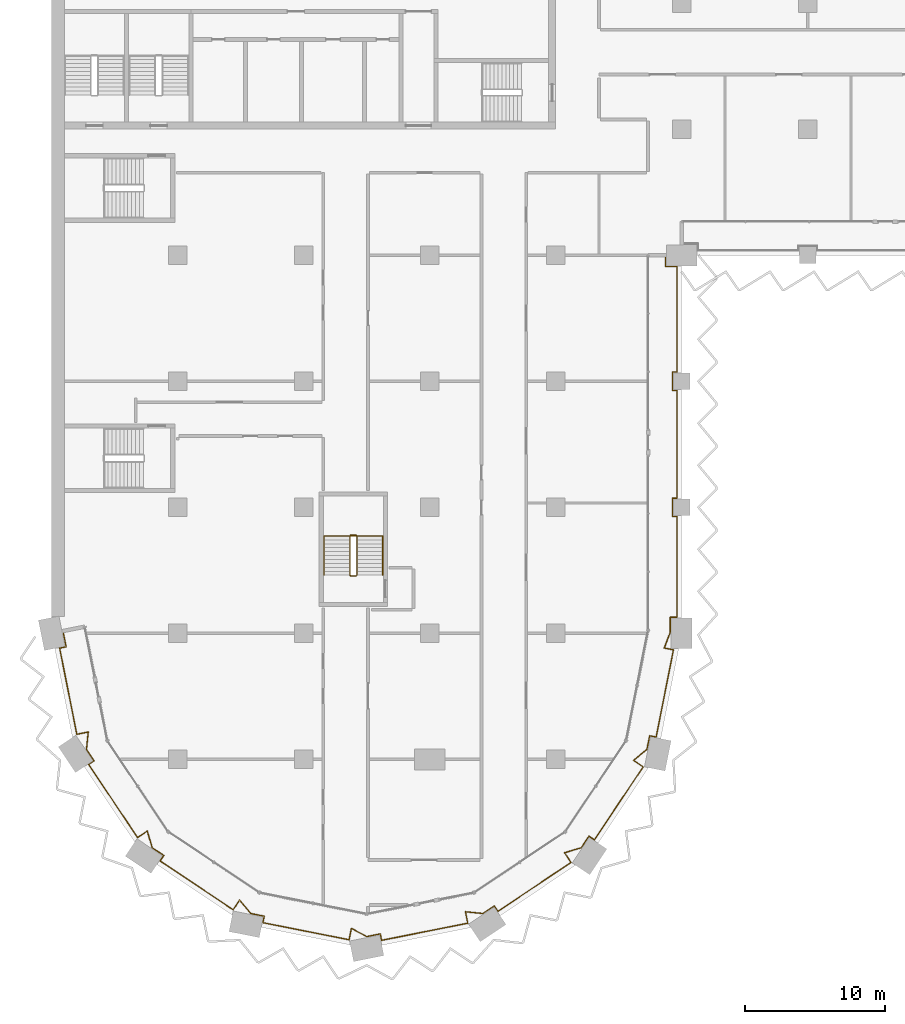
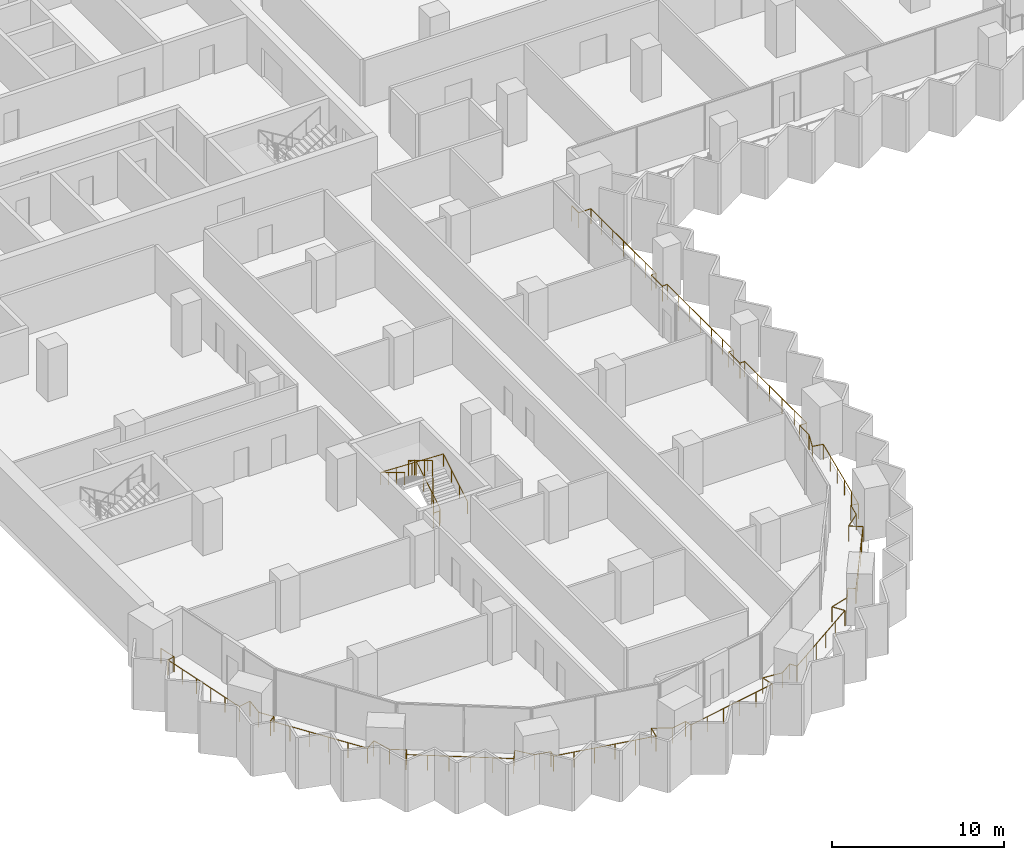
# One storey, part 19 of 22: 3 railings.
"""IFC4 building model written with IfcOpenShell, lengths in metres."""

from ifc_helpers import new_model, si_unit, direction, frame, origin, origin_2d, place, context, subcontext, project, spatial, circle, extrude, material, type_object, element, save


model = new_model("IFC4")

# Units and contexts
model_context = context("Model", 3, precision=1e-05, world=origin(), true_north=direction((0.0, 1.0)))
body_context = subcontext(model_context, "Body", "Model", "MODEL_VIEW")
ifc_project = project(units=[si_unit("LENGTHUNIT", "METRE"), si_unit("AREAUNIT", "SQUARE_METRE"), si_unit("VOLUMEUNIT", "CUBIC_METRE"), si_unit("PLANEANGLEUNIT", "RADIAN"), si_unit("MASSUNIT", "GRAM", prefix="KILO")], contexts=[model_context])

# Site, building, storey
site_placement = place(None, origin())
site = spatial("IfcSite", under=ifc_project, at=site_placement, CompositionType="ELEMENT")
building_placement = place(site_placement, origin())
building = spatial("IfcBuilding", under=site, at=building_placement, Name="Hunhe Ridgeline Campus", CompositionType="ELEMENT")
storey_placement = place(building_placement, frame((0.0, 0.0, 84.800048828125)))
storey = spatial("IfcBuildingStorey", under=building, at=storey_placement, Name="L20", CompositionType="ELEMENT", Elevation=84.800048828125)

# Railings
ifc_material_1 = material(Name="Steel Q355", Category="steel")
railing_type_1 = type_object("IfcRailingType", Name="Loggia guard 1100 Steel Q355", PredefinedType="GUARDRAIL", material=ifc_material_1)
railing_1_placement = place(storey_placement, frame((0.80419921875, 27.159912109375, 0.0)))
element("IfcRailing", 1, at=railing_1_placement, inside=storey, type_object=railing_type_1, Name="Loggia guard 1", PredefinedType="GUARDRAIL", context=body_context, shape_type="SweptSolid", body=[
    extrude(circle(Radius=0.02392578125, at=origin_2d()), frame((0.0, 0.0, 1.076171875), z_axis=(0.195095399255, -0.980784270464, 0.0), x_axis=(0.980784270464, 0.195095399255, 0.0)), (0.0, 0.0, 1.0), 1.150146484375),
    extrude(circle(Radius=0.02392578125, at=origin_2d()), frame((0.224365234375, -1.1279296875, 1.076171875), z_axis=(-0.980839571814, -0.194817181902, 0.0), x_axis=(0.194817181902, -0.980839571814, 0.0)), (0.0, 0.0, 1.0), 0.469970703125),
    extrude(circle(Radius=0.02392578125, at=origin_2d()), frame((-0.236572265625, -1.219482421875, 1.076171875), z_axis=(0.195091122585, -0.98078512116, 0.0), x_axis=(0.98078512116, 0.195091122585, 0.0)), (0.0, 0.0, 1.0), 6.27587890625),
    extrude(circle(Radius=0.02392578125, at=origin_2d()), frame((0.98779296875, -7.374755859375, 1.076171875), z_axis=(0.980805242724, 0.194989937807, 0.0), x_axis=(-0.194989937807, 0.980805242724, 0.0)), (0.0, 0.0, 1.0), 0.833984375),
    extrude(circle(Radius=0.02392578125, at=origin_2d()), frame((1.8056640625, -7.212158203125, 1.076171875), z_axis=(-0.10024174874, -0.994963110778, 0.0), x_axis=(0.994963110778, -0.10024174874, 0.0)), (0.0, 0.0, 1.0), 1.24462890625),
    extrude(circle(Radius=0.02392578125, at=origin_2d()), frame((1.680908203125, -8.450439453125, 1.076171875), z_axis=(0.555613261421, -0.831440860034, 0.0), x_axis=(0.831440860034, 0.555613261421, 0.0)), (0.0, 0.0, 1.0), 0.98681640625),
    extrude(circle(Radius=0.02392578125, at=origin_2d()), frame((2.229248046875, -9.27099609375, 1.076171875), z_axis=(-0.831650496226, -0.55529942565, 0.0), x_axis=(0.55529942565, -0.831650496226, 0.0)), (0.0, 0.0, 1.0), 0.469970703125),
    extrude(circle(Radius=0.02392578125, at=origin_2d()), frame((1.83837890625, -9.531982421875, 1.076171875), z_axis=(0.55555274607, -0.831481296443, 0.0), x_axis=(0.831481296443, 0.55555274607, 0.0)), (0.0, 0.0, 1.0), 6.27587890625),
    extrude(circle(Radius=0.02392578125, at=origin_2d()), frame((5.324951171875, -14.750244140625, 1.076171875), z_axis=(0.831419211319, 0.555645656016, 0.0), x_axis=(-0.555645656016, 0.831419211319, 0.0)), (0.0, 0.0, 1.0), 0.833984375),
    extrude(circle(Radius=0.02392578125, at=origin_2d()), frame((6.018310546875, -14.286865234375, 1.076171875), z_axis=(0.288373576958, -0.957517979002, 0.0), x_axis=(0.957517979002, 0.288373576958, 0.0)), (0.0, 0.0, 1.0), 1.24462890625),
    extrude(circle(Radius=0.02392578125, at=origin_2d()), frame((6.377197265625, -15.478515625, 1.076171875), z_axis=(0.831440860034, -0.555613261421, 0.0), x_axis=(0.555613261421, 0.831440860034, 0.0)), (0.0, 0.0, 1.0), 0.98681640625),
    extrude(circle(Radius=0.02392578125, at=origin_2d()), frame((7.19775390625, -16.02685546875, 1.076171875), z_axis=(-0.555658548717, -0.831410594856, 0.0), x_axis=(0.831410594856, -0.555658548717, 0.0)), (0.0, 0.0, 1.0), 0.47021484375),
    extrude(circle(Radius=0.02392578125, at=origin_2d()), frame((6.9365234375, -16.417724609375, 1.076171875), z_axis=(0.831469289337, -0.555570716372, 0.0), x_axis=(0.555570716372, 0.831469289337, 0.0)), (0.0, 0.0, 1.0), 6.275634765625),
    extrude(circle(Radius=0.02392578125, at=origin_2d()), frame((12.154541015625, -19.904296875, 1.076171875), z_axis=(0.555645656016, 0.831419211319, 0.0), x_axis=(-0.831419211319, 0.555645656016, 0.0)), (0.0, 0.0, 1.0), 0.833984375),
    extrude(circle(Radius=0.02392578125, at=origin_2d()), frame((12.617919921875, -19.2109375, 1.076171875), z_axis=(0.632628709191, -0.774455238414, 0.0), x_axis=(0.774455238414, 0.632628709191, 0.0)), (0.0, 0.0, 1.0), 1.24462890625),
    extrude(circle(Radius=0.02392578125, at=origin_2d()), frame((13.4052734375, -20.1748046875, 1.076171875), z_axis=(0.980770488785, -0.195164669773, 0.0), x_axis=(0.195164669773, 0.980770488785, 0.0)), (0.0, 0.0, 1.0), 0.987060546875),
    extrude(circle(Radius=0.02392578125, at=origin_2d()), frame((14.373291015625, -20.367431640625, 1.076171875), z_axis=(-0.195316901017, -0.980740183829, 0.0), x_axis=(0.980740183829, -0.195316901017, 0.0)), (0.0, 0.0, 1.0), 0.469970703125),
    extrude(circle(Radius=0.02392578125, at=origin_2d()), frame((14.281494140625, -20.828369140625, 1.076171875), z_axis=(0.98078512116, -0.195091122585, 0.0), x_axis=(0.195091122585, 0.98078512116, 0.0)), (0.0, 0.0, 1.0), 6.27587890625),
    extrude(circle(Radius=0.02392578125, at=origin_2d()), frame((20.436767578125, -22.052734375, 1.076171875), z_axis=(0.194989937807, 0.980805242724, 0.0), x_axis=(-0.980805242724, 0.194989937807, 0.0)), (0.0, 0.0, 1.0), 0.833984375),
    extrude(circle(Radius=0.02392578125, at=origin_2d()), frame((20.599365234375, -21.23486328125, 1.076171875), z_axis=(0.880980801229, -0.473152013486, 0.0), x_axis=(0.473152013486, 0.880980801229, 0.0)), (0.0, 0.0, 1.0), 1.24462890625),
    extrude(circle(Radius=0.02392578125, at=origin_2d()), frame((21.69580078125, -21.82373046875, 1.076171875), z_axis=(0.98081780924, 0.194926717196, 0.0), x_axis=(-0.194926717196, 0.98081780924, 0.0)), (0.0, 0.0, 1.0), 0.987060546875),
    extrude(circle(Radius=0.02392578125, at=origin_2d()), frame((22.663818359375, -21.63134765625, 1.076171875), z_axis=(0.194817181902, -0.980839571814, 0.0), x_axis=(0.980839571814, 0.194817181902, 0.0)), (0.0, 0.0, 1.0), 0.469970703125),
    extrude(circle(Radius=0.02392578125, at=origin_2d()), frame((22.75537109375, -22.09228515625, 1.076171875), z_axis=(0.98078512116, 0.195091122585, 0.0), x_axis=(-0.195091122585, 0.98078512116, 0.0)), (0.0, 0.0, 1.0), 6.27587890625),
    extrude(circle(Radius=0.02392578125, at=origin_2d()), frame((28.91064453125, -20.867919921875, 1.076171875), z_axis=(-0.194989937807, 0.980805242724, 0.0), x_axis=(-0.980805242724, -0.194989937807, 0.0)), (0.0, 0.0, 1.0), 0.833984375),
    extrude(circle(Radius=0.02392578125, at=origin_2d()), frame((28.748046875, -20.050048828125, 1.076171875), z_axis=(0.994963110778, -0.10024174874, 0.0), x_axis=(0.10024174874, 0.994963110778, 0.0)), (0.0, 0.0, 1.0), 1.24462890625),
    extrude(circle(Radius=0.02392578125, at=origin_2d()), frame((29.986328125, -20.1748046875, 1.076171875), z_axis=(0.831440860034, 0.555613261421, 0.0), x_axis=(-0.555613261421, 0.831440860034, 0.0)), (0.0, 0.0, 1.0), 0.98681640625),
    extrude(circle(Radius=0.02392578125, at=origin_2d()), frame((30.806884765625, -19.62646484375, 1.076171875), z_axis=(0.55529942565, -0.831650496226, 0.0), x_axis=(0.831650496226, 0.55529942565, 0.0)), (0.0, 0.0, 1.0), 0.469970703125),
    extrude(circle(Radius=0.02392578125, at=origin_2d()), frame((31.06787109375, -20.017333984375, 1.076171875), z_axis=(0.831481296443, 0.55555274607, 0.0), x_axis=(-0.55555274607, 0.831481296443, 0.0)), (0.0, 0.0, 1.0), 6.27587890625),
    extrude(circle(Radius=0.02392578125, at=origin_2d()), frame((36.2861328125, -16.53076171875, 1.076171875), z_axis=(-0.555645656016, 0.831419211319, 0.0), x_axis=(-0.831419211319, -0.555645656016, 0.0)), (0.0, 0.0, 1.0), 0.833984375),
    extrude(circle(Radius=0.02392578125, at=origin_2d()), frame((35.82275390625, -15.83740234375, 1.076171875), z_axis=(0.957517979002, 0.288373576958, 0.0), x_axis=(-0.288373576958, 0.957517979002, 0.0)), (0.0, 0.0, 1.0), 1.24462890625),
    extrude(circle(Radius=0.02392578125, at=origin_2d()), frame((37.014404296875, -15.478515625, 1.076171875), z_axis=(0.555613261421, 0.831440860034, 0.0), x_axis=(-0.831440860034, 0.555613261421, 0.0)), (0.0, 0.0, 1.0), 0.98681640625),
    extrude(circle(Radius=0.02392578125, at=origin_2d()), frame((37.562744140625, -14.657958984375, 1.076171875), z_axis=(0.831410594856, -0.555658548717, 0.0), x_axis=(0.555658548717, 0.831410594856, 0.0)), (0.0, 0.0, 1.0), 0.47021484375),
    extrude(circle(Radius=0.02392578125, at=origin_2d()), frame((37.95361328125, -14.919189453125, 1.076171875), z_axis=(0.555570716372, 0.831469289337, 0.0), x_axis=(-0.831469289337, 0.555570716372, 0.0)), (0.0, 0.0, 1.0), 6.275634765625),
    extrude(circle(Radius=0.02392578125, at=origin_2d()), frame((41.440185546875, -9.701171875, 1.076171875), z_axis=(-0.831419211319, 0.555645656016, 0.0), x_axis=(-0.555645656016, -0.831419211319, 0.0)), (0.0, 0.0, 1.0), 0.833984375),
    extrude(circle(Radius=0.02392578125, at=origin_2d()), frame((40.746826171875, -9.23779296875, 1.076171875), z_axis=(0.774455238414, 0.632628709191, 0.0), x_axis=(-0.632628709191, 0.774455238414, 0.0)), (0.0, 0.0, 1.0), 1.24462890625),
    extrude(circle(Radius=0.02392578125, at=origin_2d()), frame((41.710693359375, -8.450439453125, 1.076171875), z_axis=(0.195164669773, 0.980770488785, 0.0), x_axis=(-0.980770488785, 0.195164669773, 0.0)), (0.0, 0.0, 1.0), 0.987060546875),
    extrude(circle(Radius=0.02392578125, at=origin_2d()), frame((41.9033203125, -7.482421875, 1.076171875), z_axis=(0.980740183829, -0.195316901017, 0.0), x_axis=(0.195316901017, 0.980740183829, 0.0)), (0.0, 0.0, 1.0), 0.469970703125),
    extrude(circle(Radius=0.02392578125, at=origin_2d()), frame((42.3642578125, -7.57421875, 1.076171875), z_axis=(0.195074166836, 0.98078849373, 0.0), x_axis=(-0.98078849373, 0.195074166836, 0.0)), (0.0, 0.0, 1.0), 6.35400390625),
    extrude(circle(Radius=0.02392578125, at=origin_2d()), frame((43.603759765625, -1.34228515625, 1.076171875), z_axis=(-0.980818178173, 0.194924860818, 0.0), x_axis=(-0.194924860818, -0.980818178173, 0.0)), (0.0, 0.0, 1.0), 0.670166015625),
    extrude(circle(Radius=0.02392578125, at=origin_2d()), frame((42.946533203125, -1.211669921875, 1.076171875), z_axis=(0.354368618256, 0.935105813475, 0.0), x_axis=(-0.935105813475, 0.354368618256, 0.0)), (0.0, 0.0, 1.0), 1.211181640625),
    extrude(circle(Radius=0.02392578125, at=origin_2d()), frame((43.375732421875, -0.0791015625, 1.076171875), z_axis=(0.0, 1.0, 0.0), x_axis=(-1.0, 0.0, 0.0)), (0.0, 0.0, 1.0), 1.069091796875),
    extrude(circle(Radius=0.02392578125, at=origin_2d()), frame((43.375732421875, 0.989990234375, 1.076171875), z_axis=(1.0, 0.0, 0.0), x_axis=(0.0, 1.0, 0.0)), (0.0, 0.0, 1.0), 0.469970703125),
    extrude(circle(Radius=0.02392578125, at=origin_2d()), frame((43.845703125, 0.989990234375, 1.076171875), z_axis=(0.0, 1.0, 0.0), x_axis=(-1.0, 0.0, 0.0)), (0.0, 0.0, 1.0), 7.2001953125),
    extrude(circle(Radius=0.02392578125, at=origin_2d()), frame((43.845703125, 8.190185546875, 1.076171875), z_axis=(-1.0, 0.0, 0.0), x_axis=(0.0, -1.0, 0.0)), (0.0, 0.0, 1.0), 0.31982421875),
    extrude(circle(Radius=0.02392578125, at=origin_2d()), frame((43.52587890625, 8.190185546875, 1.076171875), z_axis=(0.0, 1.0, 0.0), x_axis=(-1.0, 0.0, 0.0)), (0.0, 0.0, 1.0), 1.2998046875),
    extrude(circle(Radius=0.02392578125, at=origin_2d()), frame((43.52587890625, 9.489990234375, 1.076171875), z_axis=(1.0, 0.0, 0.0), x_axis=(0.0, 1.0, 0.0)), (0.0, 0.0, 1.0), 0.31982421875),
    extrude(circle(Radius=0.02392578125, at=origin_2d()), frame((43.845703125, 9.489990234375, 1.076171875), z_axis=(0.0, 1.0, 0.0), x_axis=(-1.0, 0.0, 0.0)), (0.0, 0.0, 1.0), 7.7001953125),
    extrude(circle(Radius=0.02392578125, at=origin_2d()), frame((43.845703125, 17.190185546875, 1.076171875), z_axis=(-1.0, 0.0, 0.0), x_axis=(0.0, -1.0, 0.0)), (0.0, 0.0, 1.0), 0.31982421875),
    extrude(circle(Radius=0.02392578125, at=origin_2d()), frame((43.52587890625, 17.190185546875, 1.076171875), z_axis=(0.0, 1.0, 0.0), x_axis=(-1.0, 0.0, 0.0)), (0.0, 0.0, 1.0), 1.2998046875),
    extrude(circle(Radius=0.02392578125, at=origin_2d()), frame((43.52587890625, 18.489990234375, 1.076171875), z_axis=(1.0, 0.0, 0.0), x_axis=(0.0, 1.0, 0.0)), (0.0, 0.0, 1.0), 0.31982421875),
    extrude(circle(Radius=0.02392578125, at=origin_2d()), frame((43.845703125, 18.489990234375, 1.076171875), z_axis=(0.0, 1.0, 0.0), x_axis=(-1.0, 0.0, 0.0)), (0.0, 0.0, 1.0), 7.550048828125),
    extrude(circle(Radius=0.02392578125, at=origin_2d()), frame((43.845703125, 26.0400390625, 1.076171875), z_axis=(-1.0, 0.0, 0.0), x_axis=(0.0, -1.0, 0.0)), (0.0, 0.0, 1.0), 0.81982421875),
    extrude(circle(Radius=0.02392578125, at=origin_2d()), frame((43.02587890625, 26.0400390625, 1.076171875), z_axis=(0.0, 1.0, 0.0), x_axis=(-1.0, 0.0, 0.0)), (0.0, 0.0, 1.0), 0.800048828125),
    extrude(circle(Radius=0.02099609375, at=origin_2d()), origin(), (0.0, 0.0, 1.0), 1.052001953125),
    extrude(circle(Radius=0.02099609375, at=origin_2d()), frame((0.224365234375, -1.1279296875, 0.0)), (0.0, 0.0, 1.0), 1.052001953125),
    extrude(circle(Radius=0.02099609375, at=origin_2d()), frame((-0.236572265625, -1.219482421875, 0.0)), (0.0, 0.0, 1.0), 1.052001953125),
    extrude(circle(Radius=0.02099609375, at=origin_2d()), frame((0.00830078125, -2.450439453125, 0.0)), (0.0, 0.0, 1.0), 1.052001953125),
    extrude(circle(Radius=0.02099609375, at=origin_2d()), frame((0.253173828125, -3.681640625, 0.0)), (0.0, 0.0, 1.0), 1.052001953125),
    extrude(circle(Radius=0.02099609375, at=origin_2d()), frame((0.498046875, -4.91259765625, 0.0)), (0.0, 0.0, 1.0), 1.052001953125),
    extrude(circle(Radius=0.02099609375, at=origin_2d()), frame((0.742919921875, -6.143798828125, 0.0)), (0.0, 0.0, 1.0), 1.052001953125),
    extrude(circle(Radius=0.02099609375, at=origin_2d()), frame((0.98779296875, -7.374755859375, 0.0)), (0.0, 0.0, 1.0), 1.052001953125),
    extrude(circle(Radius=0.02099609375, at=origin_2d()), frame((1.8056640625, -7.212158203125, 0.0)), (0.0, 0.0, 1.0), 1.052001953125),
    extrude(circle(Radius=0.02099609375, at=origin_2d()), frame((1.680908203125, -8.450439453125, 0.0)), (0.0, 0.0, 1.0), 1.052001953125),
    extrude(circle(Radius=0.02099609375, at=origin_2d()), frame((2.229248046875, -9.27099609375, 0.0)), (0.0, 0.0, 1.0), 1.052001953125),
    extrude(circle(Radius=0.02099609375, at=origin_2d()), frame((1.83837890625, -9.531982421875, 0.0)), (0.0, 0.0, 1.0), 1.052001953125),
    extrude(circle(Radius=0.02099609375, at=origin_2d()), frame((2.53564453125, -10.57568359375, 0.0)), (0.0, 0.0, 1.0), 1.052001953125),
    extrude(circle(Radius=0.02099609375, at=origin_2d()), frame((3.23291015625, -11.619384765625, 0.0)), (0.0, 0.0, 1.0), 1.052001953125),
    extrude(circle(Radius=0.02099609375, at=origin_2d()), frame((3.930419921875, -12.662841796875, 0.0)), (0.0, 0.0, 1.0), 1.052001953125),
    extrude(circle(Radius=0.02099609375, at=origin_2d()), frame((4.627685546875, -13.70654296875, 0.0)), (0.0, 0.0, 1.0), 1.052001953125),
    extrude(circle(Radius=0.02099609375, at=origin_2d()), frame((5.324951171875, -14.750244140625, 0.0)), (0.0, 0.0, 1.0), 1.052001953125),
    extrude(circle(Radius=0.02099609375, at=origin_2d()), frame((6.018310546875, -14.286865234375, 0.0)), (0.0, 0.0, 1.0), 1.052001953125),
    extrude(circle(Radius=0.02099609375, at=origin_2d()), frame((6.377197265625, -15.478515625, 0.0)), (0.0, 0.0, 1.0), 1.052001953125),
    extrude(circle(Radius=0.02099609375, at=origin_2d()), frame((7.19775390625, -16.02685546875, 0.0)), (0.0, 0.0, 1.0), 1.052001953125),
    extrude(circle(Radius=0.02099609375, at=origin_2d()), frame((6.9365234375, -16.417724609375, 0.0)), (0.0, 0.0, 1.0), 1.052001953125),
    extrude(circle(Radius=0.02099609375, at=origin_2d()), frame((7.980224609375, -17.114990234375, 0.0)), (0.0, 0.0, 1.0), 1.052001953125),
    extrude(circle(Radius=0.02099609375, at=origin_2d()), frame((9.023681640625, -17.812255859375, 0.0)), (0.0, 0.0, 1.0), 1.052001953125),
    extrude(circle(Radius=0.02099609375, at=origin_2d()), frame((10.0673828125, -18.509765625, 0.0)), (0.0, 0.0, 1.0), 1.052001953125),
    extrude(circle(Radius=0.02099609375, at=origin_2d()), frame((11.11083984375, -19.20703125, 0.0)), (0.0, 0.0, 1.0), 1.052001953125),
    extrude(circle(Radius=0.02099609375, at=origin_2d()), frame((12.154541015625, -19.904296875, 0.0)), (0.0, 0.0, 1.0), 1.052001953125),
    extrude(circle(Radius=0.02099609375, at=origin_2d()), frame((12.617919921875, -19.2109375, 0.0)), (0.0, 0.0, 1.0), 1.052001953125),
    extrude(circle(Radius=0.02099609375, at=origin_2d()), frame((13.4052734375, -20.1748046875, 0.0)), (0.0, 0.0, 1.0), 1.052001953125),
    extrude(circle(Radius=0.02099609375, at=origin_2d()), frame((14.373291015625, -20.367431640625, 0.0)), (0.0, 0.0, 1.0), 1.052001953125),
    extrude(circle(Radius=0.02099609375, at=origin_2d()), frame((14.281494140625, -20.828369140625, 0.0)), (0.0, 0.0, 1.0), 1.052001953125),
    extrude(circle(Radius=0.02099609375, at=origin_2d()), frame((15.512451171875, -21.0732421875, 0.0)), (0.0, 0.0, 1.0), 1.052001953125),
    extrude(circle(Radius=0.02099609375, at=origin_2d()), frame((16.74365234375, -21.318115234375, 0.0)), (0.0, 0.0, 1.0), 1.052001953125),
    extrude(circle(Radius=0.02099609375, at=origin_2d()), frame((17.974609375, -21.56298828125, 0.0)), (0.0, 0.0, 1.0), 1.052001953125),
    extrude(circle(Radius=0.02099609375, at=origin_2d()), frame((19.205810546875, -21.807861328125, 0.0)), (0.0, 0.0, 1.0), 1.052001953125),
    extrude(circle(Radius=0.02099609375, at=origin_2d()), frame((20.436767578125, -22.052734375, 0.0)), (0.0, 0.0, 1.0), 1.052001953125),
    extrude(circle(Radius=0.02099609375, at=origin_2d()), frame((20.599365234375, -21.23486328125, 0.0)), (0.0, 0.0, 1.0), 1.052001953125),
    extrude(circle(Radius=0.02099609375, at=origin_2d()), frame((21.69580078125, -21.82373046875, 0.0)), (0.0, 0.0, 1.0), 1.052001953125),
    extrude(circle(Radius=0.02099609375, at=origin_2d()), frame((22.663818359375, -21.63134765625, 0.0)), (0.0, 0.0, 1.0), 1.052001953125),
    extrude(circle(Radius=0.02099609375, at=origin_2d()), frame((22.75537109375, -22.09228515625, 0.0)), (0.0, 0.0, 1.0), 1.052001953125),
    extrude(circle(Radius=0.02099609375, at=origin_2d()), frame((23.986328125, -21.847412109375, 0.0)), (0.0, 0.0, 1.0), 1.052001953125),
    extrude(circle(Radius=0.02099609375, at=origin_2d()), frame((25.217529296875, -21.6025390625, 0.0)), (0.0, 0.0, 1.0), 1.052001953125),
    extrude(circle(Radius=0.02099609375, at=origin_2d()), frame((26.448486328125, -21.357666015625, 0.0)), (0.0, 0.0, 1.0), 1.052001953125),
    extrude(circle(Radius=0.02099609375, at=origin_2d()), frame((27.6796875, -21.11279296875, 0.0)), (0.0, 0.0, 1.0), 1.052001953125),
    extrude(circle(Radius=0.02099609375, at=origin_2d()), frame((28.91064453125, -20.867919921875, 0.0)), (0.0, 0.0, 1.0), 1.052001953125),
    extrude(circle(Radius=0.02099609375, at=origin_2d()), frame((28.748046875, -20.050048828125, 0.0)), (0.0, 0.0, 1.0), 1.052001953125),
    extrude(circle(Radius=0.02099609375, at=origin_2d()), frame((29.986328125, -20.1748046875, 0.0)), (0.0, 0.0, 1.0), 1.052001953125),
    extrude(circle(Radius=0.02099609375, at=origin_2d()), frame((30.806884765625, -19.62646484375, 0.0)), (0.0, 0.0, 1.0), 1.052001953125),
    extrude(circle(Radius=0.02099609375, at=origin_2d()), frame((31.06787109375, -20.017333984375, 0.0)), (0.0, 0.0, 1.0), 1.052001953125),
    extrude(circle(Radius=0.02099609375, at=origin_2d()), frame((32.111572265625, -19.320068359375, 0.0)), (0.0, 0.0, 1.0), 1.052001953125),
    extrude(circle(Radius=0.02099609375, at=origin_2d()), frame((33.1552734375, -18.622802734375, 0.0)), (0.0, 0.0, 1.0), 1.052001953125),
    extrude(circle(Radius=0.02099609375, at=origin_2d()), frame((34.19873046875, -17.92529296875, 0.0)), (0.0, 0.0, 1.0), 1.052001953125),
    extrude(circle(Radius=0.02099609375, at=origin_2d()), frame((35.242431640625, -17.22802734375, 0.0)), (0.0, 0.0, 1.0), 1.052001953125),
    extrude(circle(Radius=0.02099609375, at=origin_2d()), frame((36.2861328125, -16.53076171875, 0.0)), (0.0, 0.0, 1.0), 1.052001953125),
    extrude(circle(Radius=0.02099609375, at=origin_2d()), frame((35.82275390625, -15.83740234375, 0.0)), (0.0, 0.0, 1.0), 1.052001953125),
    extrude(circle(Radius=0.02099609375, at=origin_2d()), frame((37.014404296875, -15.478515625, 0.0)), (0.0, 0.0, 1.0), 1.052001953125),
    extrude(circle(Radius=0.02099609375, at=origin_2d()), frame((37.562744140625, -14.657958984375, 0.0)), (0.0, 0.0, 1.0), 1.052001953125),
    extrude(circle(Radius=0.02099609375, at=origin_2d()), frame((37.95361328125, -14.919189453125, 0.0)), (0.0, 0.0, 1.0), 1.052001953125),
    extrude(circle(Radius=0.02099609375, at=origin_2d()), frame((38.65087890625, -13.87548828125, 0.0)), (0.0, 0.0, 1.0), 1.052001953125),
    extrude(circle(Radius=0.02099609375, at=origin_2d()), frame((39.34814453125, -12.83203125, 0.0)), (0.0, 0.0, 1.0), 1.052001953125),
    extrude(circle(Radius=0.02099609375, at=origin_2d()), frame((40.045654296875, -11.788330078125, 0.0)), (0.0, 0.0, 1.0), 1.052001953125),
    extrude(circle(Radius=0.02099609375, at=origin_2d()), frame((40.742919921875, -10.744873046875, 0.0)), (0.0, 0.0, 1.0), 1.052001953125),
    extrude(circle(Radius=0.02099609375, at=origin_2d()), frame((41.440185546875, -9.701171875, 0.0)), (0.0, 0.0, 1.0), 1.052001953125),
    extrude(circle(Radius=0.02099609375, at=origin_2d()), frame((40.746826171875, -9.23779296875, 0.0)), (0.0, 0.0, 1.0), 1.052001953125),
    extrude(circle(Radius=0.02099609375, at=origin_2d()), frame((41.710693359375, -8.450439453125, 0.0)), (0.0, 0.0, 1.0), 1.052001953125),
    extrude(circle(Radius=0.02099609375, at=origin_2d()), frame((41.9033203125, -7.482421875, 0.0)), (0.0, 0.0, 1.0), 1.052001953125),
    extrude(circle(Radius=0.02099609375, at=origin_2d()), frame((42.3642578125, -7.57421875, 0.0)), (0.0, 0.0, 1.0), 1.052001953125),
    extrude(circle(Radius=0.02099609375, at=origin_2d()), frame((42.612060546875, -6.327880859375, 0.0)), (0.0, 0.0, 1.0), 1.052001953125),
    extrude(circle(Radius=0.02099609375, at=origin_2d()), frame((42.860107421875, -5.08154296875, 0.0)), (0.0, 0.0, 1.0), 1.052001953125),
    extrude(circle(Radius=0.02099609375, at=origin_2d()), frame((43.10791015625, -3.8349609375, 0.0)), (0.0, 0.0, 1.0), 1.052001953125),
    extrude(circle(Radius=0.02099609375, at=origin_2d()), frame((43.35595703125, -2.588623046875, 0.0)), (0.0, 0.0, 1.0), 1.052001953125),
    extrude(circle(Radius=0.02099609375, at=origin_2d()), frame((43.603759765625, -1.34228515625, 0.0)), (0.0, 0.0, 1.0), 1.052001953125),
    extrude(circle(Radius=0.02099609375, at=origin_2d()), frame((42.946533203125, -1.211669921875, 0.0)), (0.0, 0.0, 1.0), 1.052001953125),
    extrude(circle(Radius=0.02099609375, at=origin_2d()), frame((43.375732421875, -0.0791015625, 0.0)), (0.0, 0.0, 1.0), 1.052001953125),
    extrude(circle(Radius=0.02099609375, at=origin_2d()), frame((43.375732421875, 0.989990234375, 0.0)), (0.0, 0.0, 1.0), 1.052001953125),
    extrude(circle(Radius=0.02099609375, at=origin_2d()), frame((43.845703125, 0.989990234375, 0.0)), (0.0, 0.0, 1.0), 1.052001953125),
    extrude(circle(Radius=0.02099609375, at=origin_2d()), frame((43.845703125, 2.429931640625, 0.0)), (0.0, 0.0, 1.0), 1.052001953125),
    extrude(circle(Radius=0.02099609375, at=origin_2d()), frame((43.845703125, 3.8701171875, 0.0)), (0.0, 0.0, 1.0), 1.052001953125),
    extrude(circle(Radius=0.02099609375, at=origin_2d()), frame((43.845703125, 5.31005859375, 0.0)), (0.0, 0.0, 1.0), 1.052001953125),
    extrude(circle(Radius=0.02099609375, at=origin_2d()), frame((43.845703125, 6.750244140625, 0.0)), (0.0, 0.0, 1.0), 1.052001953125),
    extrude(circle(Radius=0.02099609375, at=origin_2d()), frame((43.845703125, 8.190185546875, 0.0)), (0.0, 0.0, 1.0), 1.052001953125),
    extrude(circle(Radius=0.02099609375, at=origin_2d()), frame((43.52587890625, 8.190185546875, 0.0)), (0.0, 0.0, 1.0), 1.052001953125),
    extrude(circle(Radius=0.02099609375, at=origin_2d()), frame((43.52587890625, 9.489990234375, 0.0)), (0.0, 0.0, 1.0), 1.052001953125),
    extrude(circle(Radius=0.02099609375, at=origin_2d()), frame((43.845703125, 9.489990234375, 0.0)), (0.0, 0.0, 1.0), 1.052001953125),
    extrude(circle(Radius=0.02099609375, at=origin_2d()), frame((43.845703125, 10.7734375, 0.0)), (0.0, 0.0, 1.0), 1.052001953125),
    extrude(circle(Radius=0.02099609375, at=origin_2d()), frame((43.845703125, 12.056640625, 0.0)), (0.0, 0.0, 1.0), 1.052001953125),
    extrude(circle(Radius=0.02099609375, at=origin_2d()), frame((43.845703125, 13.340087890625, 0.0)), (0.0, 0.0, 1.0), 1.052001953125),
    extrude(circle(Radius=0.02099609375, at=origin_2d()), frame((43.845703125, 14.62353515625, 0.0)), (0.0, 0.0, 1.0), 1.052001953125),
    extrude(circle(Radius=0.02099609375, at=origin_2d()), frame((43.845703125, 15.90673828125, 0.0)), (0.0, 0.0, 1.0), 1.052001953125),
    extrude(circle(Radius=0.02099609375, at=origin_2d()), frame((43.845703125, 17.190185546875, 0.0)), (0.0, 0.0, 1.0), 1.052001953125),
    extrude(circle(Radius=0.02099609375, at=origin_2d()), frame((43.52587890625, 17.190185546875, 0.0)), (0.0, 0.0, 1.0), 1.052001953125),
    extrude(circle(Radius=0.02099609375, at=origin_2d()), frame((43.52587890625, 18.489990234375, 0.0)), (0.0, 0.0, 1.0), 1.052001953125),
    extrude(circle(Radius=0.02099609375, at=origin_2d()), frame((43.845703125, 18.489990234375, 0.0)), (0.0, 0.0, 1.0), 1.052001953125),
    extrude(circle(Radius=0.02099609375, at=origin_2d()), frame((43.845703125, 19.748291015625, 0.0)), (0.0, 0.0, 1.0), 1.052001953125),
    extrude(circle(Radius=0.02099609375, at=origin_2d()), frame((43.845703125, 21.006591796875, 0.0)), (0.0, 0.0, 1.0), 1.052001953125),
    extrude(circle(Radius=0.02099609375, at=origin_2d()), frame((43.845703125, 22.26513671875, 0.0)), (0.0, 0.0, 1.0), 1.052001953125),
    extrude(circle(Radius=0.02099609375, at=origin_2d()), frame((43.845703125, 23.5234375, 0.0)), (0.0, 0.0, 1.0), 1.052001953125),
    extrude(circle(Radius=0.02099609375, at=origin_2d()), frame((43.845703125, 24.78173828125, 0.0)), (0.0, 0.0, 1.0), 1.052001953125),
    extrude(circle(Radius=0.02099609375, at=origin_2d()), frame((43.845703125, 26.0400390625, 0.0)), (0.0, 0.0, 1.0), 1.052001953125),
    extrude(circle(Radius=0.02099609375, at=origin_2d()), frame((43.02587890625, 26.0400390625, 0.0)), (0.0, 0.0, 1.0), 1.052001953125),
    extrude(circle(Radius=0.02099609375, at=origin_2d()), frame((43.02587890625, 26.840087890625, 0.0)), (0.0, 0.0, 1.0), 1.052001953125),
])
ifc_material_2 = material(Name="Stainless steel balustrade", Category="steel")
railing_type_2 = type_object("IfcRailingType", Name="Stair guard 1100 stainless", PredefinedType="GUARDRAIL", material=ifc_material_2)
railing_2_placement = place(storey_placement, frame((21.800048828125, 31.14990234375, 0.168212890625)))
element("IfcRailing", 2, at=railing_2_placement, inside=storey, type_object=railing_type_2, Name="L20 stair W3 guard", PredefinedType="GUARDRAIL", context=body_context, shape_type="SweptSolid", body=[
    extrude(circle(Radius=0.02392578125, at=origin_2d()), frame((0.0, 0.0, 1.076171875), z_axis=(0.0, 0.857275202839, 0.514858452973), x_axis=(-1.0, 0.0, 0.0)), (0.0, 0.0, 1.0), 3.26611328125),
    extrude(circle(Radius=0.02392578125, at=origin_2d()), frame((0.0, 2.800048828125, 2.7578125), z_axis=(-0.707106781187, 0.707106781187, 0.0), x_axis=(-0.707106781187, -0.707106781187, 0.0)), (0.0, 0.0, 1.0), 0.07080078125),
    extrude(circle(Radius=0.02392578125, at=origin_2d()), frame((-0.050048828125, 2.85009765625, 2.7578125), z_axis=(-1.0, 0.0, 0.0), x_axis=(0.0, -1.0, 0.0)), (0.0, 0.0, 1.0), 0.39990234375),
    extrude(circle(Radius=0.02392578125, at=origin_2d()), frame((-0.449951171875, 2.85009765625, 2.7578125), z_axis=(-0.274243871929, -0.274243871929, 0.92172696468), x_axis=(0.707106781187, -0.707106781187, 0.0)), (0.0, 0.0, 1.0), 0.1826171875),
    extrude(circle(Radius=0.02392578125, at=origin_2d()), frame((-0.5, 2.800048828125, 2.92578125), z_axis=(0.0, -0.857242210791, 0.514913383045), x_axis=(1.0, 0.0, 0.0)), (0.0, 0.0, 1.0), 3.266357421875),
    extrude(circle(Radius=0.02392578125, at=origin_2d()), frame((-0.5, 0.0, 4.60791015625), z_axis=(0.013524426427, -0.013458453615, -0.999817963389), x_axis=(0.705375805398, 0.708833529934, 0.0)), (0.0, 0.0, 1.0), 3.70068359375),
    extrude(circle(Radius=0.02392578125, at=origin_2d()), frame((-0.449951171875, -0.0498046875, 0.90771484375), z_axis=(1.0, 0.0, 0.0), x_axis=(0.0, 1.0, 0.0)), (0.0, 0.0, 1.0), 0.39990234375),
    extrude(circle(Radius=0.02099609375, at=origin_2d()), origin(), (0.0, 0.0, 1.0), 1.052001953125),
    extrude(circle(Radius=0.02099609375, at=origin_2d()), frame((0.0, 0.933349609375, 0.560546875)), (0.0, 0.0, 1.0), 1.052001953125),
    extrude(circle(Radius=0.02099609375, at=origin_2d()), frame((0.0, 1.86669921875, 1.12109375)), (0.0, 0.0, 1.0), 1.052001953125),
    extrude(circle(Radius=0.02099609375, at=origin_2d()), frame((0.0, 2.800048828125, 1.681640625)), (0.0, 0.0, 1.0), 1.052001953125),
    extrude(circle(Radius=0.02099609375, at=origin_2d()), frame((-0.050048828125, 2.85009765625, 1.681640625)), (0.0, 0.0, 1.0), 1.052001953125),
    extrude(circle(Radius=0.02099609375, at=origin_2d()), frame((-0.449951171875, 2.85009765625, 1.681640625)), (0.0, 0.0, 1.0), 1.052001953125),
    extrude(circle(Radius=0.02099609375, at=origin_2d()), frame((-0.5, 2.800048828125, 1.849853515625)), (0.0, 0.0, 1.0), 1.052001953125),
    extrude(circle(Radius=0.02099609375, at=origin_2d()), frame((-0.5, 1.86669921875, 2.410400390625)), (0.0, 0.0, 1.0), 1.052001953125),
    extrude(circle(Radius=0.02099609375, at=origin_2d()), frame((-0.5, 0.933349609375, 2.97119140625)), (0.0, 0.0, 1.0), 1.052001953125),
    extrude(circle(Radius=0.02099609375, at=origin_2d()), frame((-0.5, 0.0, 3.53173828125)), (0.0, 0.0, 1.0), 1.052001953125),
    extrude(circle(Radius=0.02099609375, at=origin_2d()), frame((-0.487548828125, -0.012451171875, 2.606689453125)), (0.0, 0.0, 1.0), 1.052001953125),
    extrude(circle(Radius=0.02099609375, at=origin_2d()), frame((-0.47509765625, -0.02490234375, 1.681640625)), (0.0, 0.0, 1.0), 1.052001953125),
    extrude(circle(Radius=0.02099609375, at=origin_2d()), frame((-0.46240234375, -0.037353515625, 0.7568359375)), (0.0, 0.0, 1.0), 1.052001953125),
    extrude(circle(Radius=0.02099609375, at=origin_2d()), frame((-0.449951171875, -0.0498046875, -0.168212890625)), (0.0, 0.0, 1.0), 1.052001953125),
    extrude(circle(Radius=0.02099609375, at=origin_2d()), frame((-0.050048828125, -0.0498046875, -0.168212890625)), (0.0, 0.0, 1.0), 1.052001953125),
])
ifc_material_3 = material(Name="Stainless steel handrail", Category="steel")
railing_type_3 = type_object("IfcRailingType", Name="Stair handrail 900 stainless", PredefinedType="HANDRAIL", material=ifc_material_3)
railing_3_placement = place(storey_placement, frame((23.64990234375, 31.14990234375, 0.168212890625)))
element("IfcRailing", 3, at=railing_3_placement, inside=storey, type_object=railing_type_3, Name="L20 stair W3 handrail", PredefinedType="HANDRAIL", context=body_context, shape_type="SweptSolid", body=[
    extrude(circle(Radius=0.02392578125, at=origin_2d()), frame((0.0, 0.0, 0.8759765625), z_axis=(0.0, 0.857275202839, 0.514858452973), x_axis=(-1.0, 0.0, 0.0)), (0.0, 0.0, 1.0), 3.26611328125),
    extrude(circle(Radius=0.02392578125, at=origin_2d()), frame((0.0, 2.800048828125, 2.5576171875), z_axis=(-0.999198916169, 0.0, 0.040019069537), x_axis=(0.0, -1.0, 0.0)), (0.0, 0.0, 1.0), 4.203369140625),
    extrude(circle(Radius=0.02392578125, at=origin_2d()), frame((-4.199951171875, 2.800048828125, 2.7255859375), z_axis=(0.0, -0.857242210791, 0.514913383045), x_axis=(1.0, 0.0, 0.0)), (0.0, 0.0, 1.0), 3.266357421875),
    extrude(circle(Radius=0.02099609375, at=origin_2d()), origin(), (0.0, 0.0, 1.0), 0.851806640625),
    extrude(circle(Radius=0.02099609375, at=origin_2d()), frame((0.0, 0.933349609375, 0.560546875)), (0.0, 0.0, 1.0), 0.851806640625),
    extrude(circle(Radius=0.02099609375, at=origin_2d()), frame((0.0, 1.86669921875, 1.12109375)), (0.0, 0.0, 1.0), 0.851806640625),
    extrude(circle(Radius=0.02099609375, at=origin_2d()), frame((0.0, 2.800048828125, 1.681640625)), (0.0, 0.0, 1.0), 0.851806640625),
    extrude(circle(Radius=0.02099609375, at=origin_2d()), frame((-1.050048828125, 2.800048828125, 1.7236328125)), (0.0, 0.0, 1.0), 0.851806640625),
    extrude(circle(Radius=0.02099609375, at=origin_2d()), frame((-2.10009765625, 2.800048828125, 1.765625)), (0.0, 0.0, 1.0), 0.851806640625),
    extrude(circle(Radius=0.02099609375, at=origin_2d()), frame((-3.14990234375, 2.800048828125, 1.807861328125)), (0.0, 0.0, 1.0), 0.851806640625),
    extrude(circle(Radius=0.02099609375, at=origin_2d()), frame((-4.199951171875, 2.800048828125, 1.849853515625)), (0.0, 0.0, 1.0), 0.851806640625),
    extrude(circle(Radius=0.02099609375, at=origin_2d()), frame((-4.199951171875, 1.86669921875, 2.410400390625)), (0.0, 0.0, 1.0), 0.851806640625),
    extrude(circle(Radius=0.02099609375, at=origin_2d()), frame((-4.199951171875, 0.933349609375, 2.97119140625)), (0.0, 0.0, 1.0), 0.851806640625),
    extrude(circle(Radius=0.02099609375, at=origin_2d()), frame((-4.199951171875, 0.0, 3.53173828125)), (0.0, 0.0, 1.0), 0.851806640625),
])

save(model, "model.ifc")
